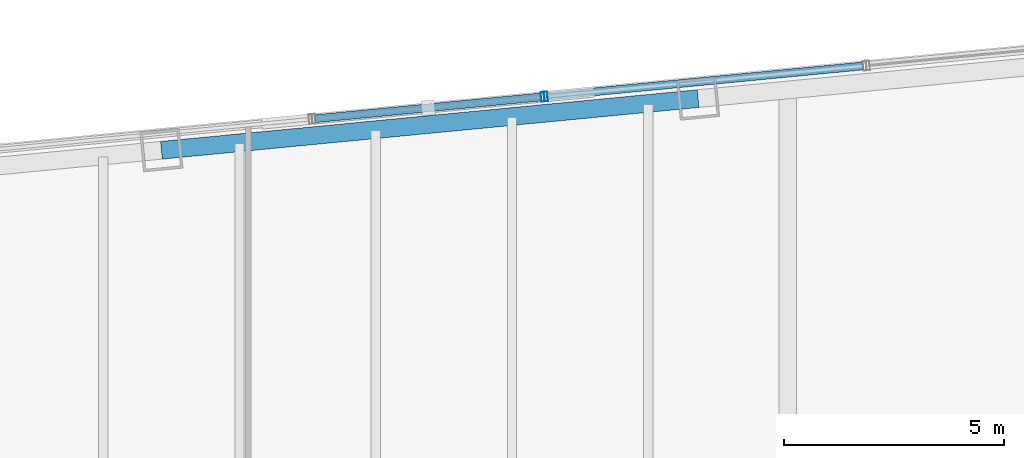
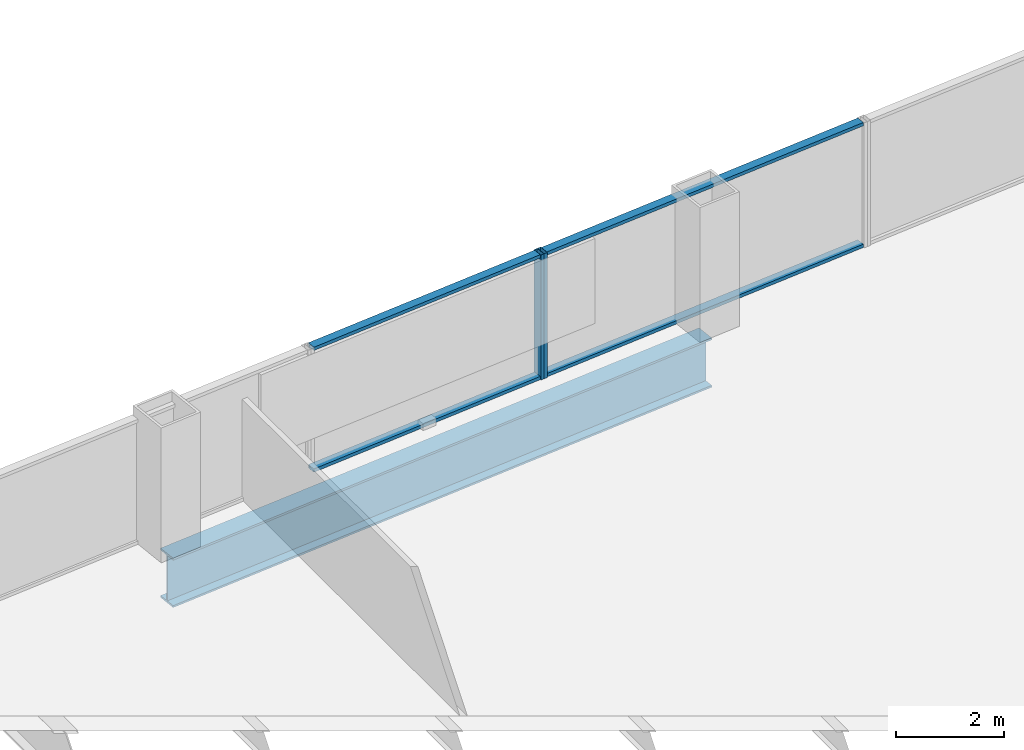
# One storey, part 17 of 26: 6 members, 1 beam, 2 elements without a shape of their own.
"""IFC4 building model written with IfcOpenShell, lengths in metres."""

from ifc_helpers import new_model, si_unit, direction, frame, origin, origin_2d, place, context, subcontext, project, spatial, hollow_rectangle, i_section, extrude, material, layer, layer_set, material_profile, profile_set, type_object, element, aggregate, save


model = new_model("IFC4")

# Units and contexts
model_context = context("Model", 3, precision=1e-05, world=origin(), true_north=direction((0.0, 1.0)))
body_context = subcontext(model_context, "Body", "Model", "MODEL_VIEW")
ifc_project = project(units=[si_unit("LENGTHUNIT", "METRE"), si_unit("AREAUNIT", "SQUARE_METRE"), si_unit("VOLUMEUNIT", "CUBIC_METRE"), si_unit("PLANEANGLEUNIT", "RADIAN"), si_unit("MASSUNIT", "GRAM", prefix="KILO")], contexts=[model_context])

# Site, building, storey
site_placement = place(None, origin())
site = spatial("IfcSite", under=ifc_project, at=site_placement, CompositionType="ELEMENT")
building_placement = place(site_placement, origin())
building = spatial("IfcBuilding", under=site, at=building_placement, Name="Qhalaya Broadcast Tower", CompositionType="ELEMENT")
storey_placement = place(building_placement, frame((0.0, 0.0, 72.5)))
storey = spatial("IfcBuildingStorey", under=building, at=storey_placement, Name="L20", CompositionType="ELEMENT", Elevation=72.5)

# Beam
ifc_material_1 = material(Name="Structural Steel ASTM A992 Grade 50", Category="steel")
ifc_material_profile_1 = material_profile(ifc_material_1, i_section(OverallWidth=0.404052734375, OverallDepth=1.117919921875, WebThickness=0.026123046875, FlangeThickness=0.044921875, at=origin_2d()), Name="W44X335")
ifc_profile_set_1 = profile_set([ifc_material_profile_1], Name="Structural Steel ASTM A992 Grade 50")
beam_type = type_object("IfcBeamType", Name="Podium Long-Span Primary Girder PG1", PredefinedType="USERDEFINED", material=ifc_profile_set_1)
beam_placement = place(storey_placement, frame((7.335205078125, 28.116943359375, -0.779052734375), z_axis=(-0.99539563662, -0.095851586307, 0.0), x_axis=(0.095851586307, -0.99539563662, 0.0)))
element("IfcBeam", 1, at=beam_placement, inside=storey, type_object=beam_type, Name="L20 PG1 L20-SPR-10", ObjectType="GIRDER", PredefinedType="USERDEFINED", context=body_context, shape_type="SweptSolid", body=[
    extrude(i_section(OverallWidth=0.404052734375, OverallDepth=1.117919921875, WebThickness=0.026123046875, FlangeThickness=0.044921875, at=origin_2d()), origin(), (0.0, 0.0, 1.0), 12.2666015625),
])

# Curtain wall, member
ifc_material_2 = material(Name="Fired Architectural Terracotta", Category="masonry")
ifc_layer_1 = layer(ifc_material_2, 0.219970703125, Name="Fired Architectural Terracotta")
ifc_layer_set_1 = layer_set([ifc_layer_1], Name="Fired Architectural Terracotta")
curtain_wall_type_1 = type_object("IfcCurtainWallType", Name="Block-Cap Unitised Terracotta Spandrel Wall CW-07", PredefinedType="NOTDEFINED", material=ifc_layer_set_1)
curtain_wall_1_placement = place(storey_placement, origin())
curtain_wall_1 = element("IfcCurtainWall", 2, at=curtain_wall_1_placement, inside=storey, type_object=curtain_wall_type_1, Name="L20 Unitised Curtain Wall L20-CW-N3", PredefinedType="NOTDEFINED")
ifc_material_3 = material(Name="Anodised Aluminium 6063-T6", Category="aluminium")
ifc_material_profile_2 = material_profile(ifc_material_3, hollow_rectangle(XDim=0.074951171875, YDim=0.219970703125, WallThickness=0.00390625, at=origin_2d()), Name="ALU-MUL 75x220x4")
ifc_profile_set_2 = profile_set([ifc_material_profile_2], Name="Anodised Aluminium 6063-T6")
member_type_1 = type_object("IfcMemberType", Name="Unitised Curtain-Wall Mullion M01", PredefinedType="MULLION", material=ifc_profile_set_2)
member_1_placement = place(storey_placement, frame((3.871826171875, 28.165283203125, 0.0), z_axis=(0.0, 0.0, 1.0), x_axis=(-0.995396450907, -0.095843129762, 0.0)))
member_1 = element("IfcMember", 3, at=member_1_placement, type_object=member_type_1, Name="CW-07 mullion 2", PredefinedType="MULLION", context=body_context, shape_type="SweptSolid", body=[
    extrude(hollow_rectangle(XDim=0.074951171875, YDim=0.219970703125, WallThickness=0.00390625, at=origin_2d()), origin(), (0.0, 0.0, 1.0), 2.830078125),
])

ifc_material_4 = material(Name="Solar-Control Low-E Triple Glazing", Category="glass")
ifc_layer_2 = layer(ifc_material_4, 0.219970703125, Name="Solar-Control Low-E Triple Glazing")
ifc_layer_set_2 = layer_set([ifc_layer_2], Name="Solar-Control Low-E Triple Glazing")
curtain_wall_type_2 = type_object("IfcCurtainWallType", Name="Even-Block 4-Storey Double-Module Curtain Wall CW-03", PredefinedType="NOTDEFINED", material=ifc_layer_set_2)
curtain_wall_2_placement = place(storey_placement, origin())
curtain_wall_2 = element("IfcCurtainWall", 4, at=curtain_wall_2_placement, inside=storey, type_object=curtain_wall_type_2, Name="L20 Unitised Curtain Wall L20-CW-N4", PredefinedType="NOTDEFINED")
member_2_placement = place(storey_placement, frame((3.797119140625, 28.157958984375, 0.0), z_axis=(0.0, 0.0, 1.0), x_axis=(-0.995395483385, -0.095853177608, 0.0)))
member_2 = element("IfcMember", 5, at=member_2_placement, type_object=member_type_1, Name="CW-03 mullion 1", PredefinedType="MULLION", context=body_context, shape_type="SweptSolid", body=[
    extrude(hollow_rectangle(XDim=0.074951171875, YDim=0.219970703125, WallThickness=0.00390625, at=origin_2d()), origin(), (0.0, 0.0, 1.0), 2.830078125),
])

# Member
ifc_material_profile_3 = material_profile(ifc_material_3, hollow_rectangle(XDim=0.074951171875, YDim=0.179931640625, WallThickness=0.00390625, at=origin_2d()), Name="ALU-TRN 75x180x4")
ifc_profile_set_3 = profile_set([ifc_material_profile_3], Name="Anodised Aluminium 6063-T6")
member_type_2 = type_object("IfcMemberType", Name="Unitised Curtain-Wall Transom T01", PredefinedType="USERDEFINED", material=ifc_profile_set_3)
member_3_placement = place(storey_placement, frame((11.0869140625, 28.85986328125, 0.03759765625), z_axis=(-0.995395868945, -0.095849173639, 0.0), x_axis=(0.0, 0.0, 1.0)))
member_3 = element("IfcMember", 6, at=member_3_placement, type_object=member_type_2, Name="CW-07 transom 1.1", ObjectType="TRANSOM", PredefinedType="USERDEFINED", context=body_context, shape_type="SweptSolid", body=[
    extrude(hollow_rectangle(XDim=0.074951171875, YDim=0.179931640625, WallThickness=0.00390625, at=origin_2d()), origin(), (0.0, 0.0, 1.0), 7.2109375),
])

member_4_placement = place(storey_placement, frame((11.0869140625, 28.85986328125, 2.79248046875), z_axis=(-0.995395868945, -0.095849173639, 0.0), x_axis=(0.0, 0.0, 1.0)))
member_4 = element("IfcMember", 7, at=member_4_placement, type_object=member_type_2, Name="CW-07 transom 1.2", ObjectType="TRANSOM", PredefinedType="USERDEFINED", context=body_context, shape_type="SweptSolid", body=[
    extrude(hollow_rectangle(XDim=0.074951171875, YDim=0.179931640625, WallThickness=0.00390625, at=origin_2d()), origin(), (0.0, 0.0, 1.0), 7.2109375),
])

aggregate(curtain_wall_1, [member_1, member_3, member_4])

member_5_placement = place(storey_placement, frame((3.759765625, 28.154296875, 0.03759765625), z_axis=(-0.995397049281, -0.095836915029, 0.0), x_axis=(0.0, 0.0, 1.0)))
member_5 = element("IfcMember", 8, at=member_5_placement, type_object=member_type_2, Name="CW-03 transom 1.1", ObjectType="TRANSOM", PredefinedType="USERDEFINED", context=body_context, shape_type="SweptSolid", body=[
    extrude(hollow_rectangle(XDim=0.074951171875, YDim=0.179931640625, WallThickness=0.00390625, at=origin_2d()), origin(), (0.0, 0.0, 1.0), 5.156005859375),
])

member_6_placement = place(storey_placement, frame((3.759765625, 28.154296875, 2.79248046875), z_axis=(-0.995397049281, -0.095836915029, 0.0), x_axis=(0.0, 0.0, 1.0)))
member_6 = element("IfcMember", 9, at=member_6_placement, type_object=member_type_2, Name="CW-03 transom 1.2", ObjectType="TRANSOM", PredefinedType="USERDEFINED", context=body_context, shape_type="SweptSolid", body=[
    extrude(hollow_rectangle(XDim=0.074951171875, YDim=0.179931640625, WallThickness=0.00390625, at=origin_2d()), origin(), (0.0, 0.0, 1.0), 5.156005859375),
])

aggregate(curtain_wall_2, [member_2, member_5, member_6])

save(model, "model.ifc")
